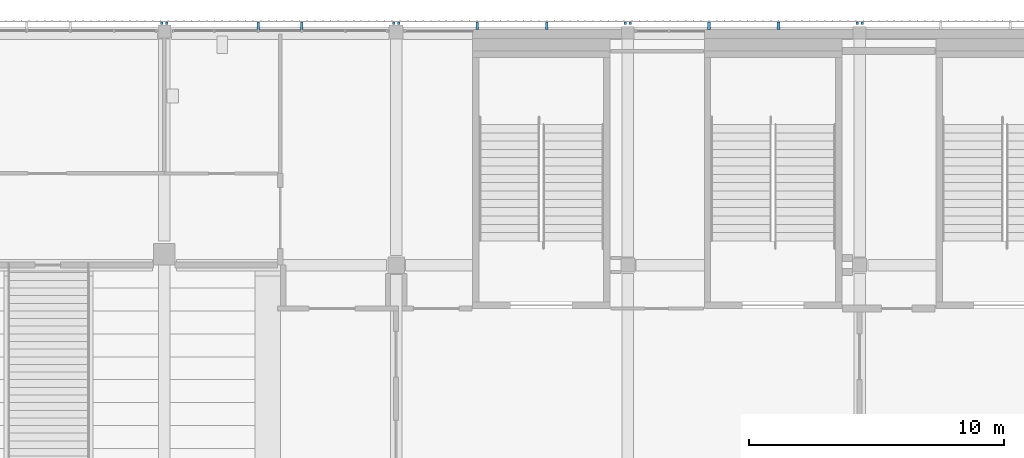
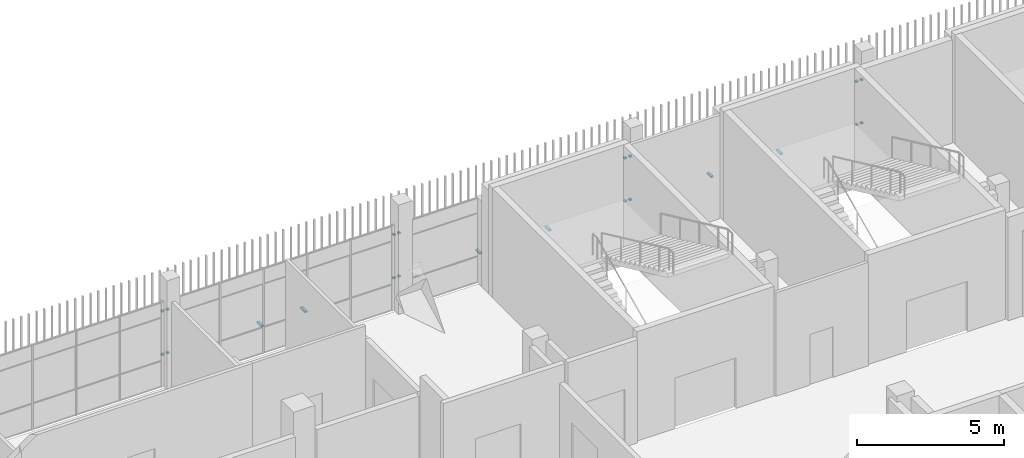
# One storey, part 108 of 139: 22 discrete accessories.
"""IFC4 building model written with IfcOpenShell, lengths in metres."""

from ifc_helpers import new_model, si_unit, direction, frame, origin, origin_2d, place, context, subcontext, project, spatial, rectangle, extrude, material, type_object, element, save


model = new_model("IFC4")

# Units and contexts
model_context = context("Model", 3, precision=1e-05, world=origin(), true_north=direction((0.0, 1.0)))
body_context = subcontext(model_context, "Body", "Model", "MODEL_VIEW")
ifc_project = project(units=[si_unit("LENGTHUNIT", "METRE"), si_unit("AREAUNIT", "SQUARE_METRE"), si_unit("VOLUMEUNIT", "CUBIC_METRE"), si_unit("PLANEANGLEUNIT", "RADIAN"), si_unit("MASSUNIT", "GRAM", prefix="KILO")], contexts=[model_context])

# Site, building, storey
site_placement = place(None, origin())
site = spatial("IfcSite", under=ifc_project, at=site_placement, CompositionType="ELEMENT")
building_placement = place(site_placement, origin())
building = spatial("IfcBuilding", under=site, at=building_placement, Name="Shirokan Park Arena", CompositionType="ELEMENT")
storey_placement = place(building_placement, frame((0.0, 0.0, 15.469970703125)))
storey = spatial("IfcBuildingStorey", under=building, at=storey_placement, Name="L03", CompositionType="ELEMENT", Elevation=15.469970703125)

# Discrete accessories
ifc_material = material(Name="Steel S355", Category="steel")
discrete_accessory_type = type_object("IfcDiscreteAccessoryType", Name="Veil bracket 100x60", PredefinedType="BRACKET", material=ifc_material)
for number, where, z_axis, x_axis, name in (
    (1, (127.5, 109.597412109375, 1.070068359375), (0.0, 0.0, 1.0), (-1.0, 0.0, 0.0), "Veil bracket north bay 2 L03 2"),
    (2, (127.5, 109.597412109375, 2.8701171875), (0.0, 0.0, 1.0), (-1.0, 0.0, 0.0), "Veil bracket north bay 2 L03 4"),
    (3, (127.300048828125, 109.597412109375, 1.070068359375), (0.0, 0.0, 1.0), (-1.0, 0.0, 0.0), "Veil bracket north bay 3 L03 1"),
    (4, (118.39990234375, 109.597412109375, 1.070068359375), (0.0, 0.0, 1.0), (-1.0, 0.0, 0.0), "Veil bracket north bay 3 L03 2"),
    (5, (127.300048828125, 109.597412109375, 2.8701171875), (0.0, 0.0, 1.0), (-1.0, 0.0, 0.0), "Veil bracket north bay 3 L03 3"),
    (6, (118.39990234375, 109.597412109375, 2.8701171875), (0.0, 0.0, 1.0), (-1.0, 0.0, 0.0), "Veil bracket north bay 3 L03 4"),
):
    element("IfcDiscreteAccessory", number, at=place(storey_placement, frame(where, z_axis=z_axis, x_axis=x_axis)), inside=storey, type_object=discrete_accessory_type, Name=name, PredefinedType="BRACKET", context=body_context, shape_type="SweptSolid", body=[
        extrude(rectangle(XDim=0.10009765625, YDim=0.094970703125, at=origin_2d()), origin(), (0.0, 0.0, 1.0), 0.06005859375),
    ])
for number, where, z_axis, x_axis, name in (
    (7, (124.215087890625, 109.49755859375, 1.070068359375), (0.0, 0.0, 1.0), (-1.0, 0.0, 0.0), "Veil bracket north bay 3 L03 wall 1"),
    (8, (121.485107421875, 109.49755859375, 1.070068359375), (0.0, 0.0, 1.0), (-1.0, 0.0, 0.0), "Veil bracket north bay 3 L03 wall 2"),
):
    element("IfcDiscreteAccessory", number, at=place(storey_placement, frame(where, z_axis=z_axis, x_axis=x_axis)), inside=storey, type_object=discrete_accessory_type, Name=name, PredefinedType="BRACKET", context=body_context, shape_type="SweptSolid", body=[
        extrude(rectangle(XDim=0.10009765625, YDim=0.294921875, at=origin_2d()), origin(), (0.0, 0.0, 1.0), 0.06005859375),
    ])
for number, where, z_axis, x_axis, name in (
    (9, (118.199951171875, 109.597412109375, 1.070068359375), (0.0, 0.0, 1.0), (-1.0, 0.0, 0.0), "Veil bracket north bay 4 L03 1"),
    (10, (109.300048828125, 109.597412109375, 1.070068359375), (0.0, 0.0, 1.0), (-1.0, 0.0, 0.0), "Veil bracket north bay 4 L03 2"),
    (11, (118.199951171875, 109.597412109375, 2.8701171875), (0.0, 0.0, 1.0), (-1.0, 0.0, 0.0), "Veil bracket north bay 4 L03 3"),
    (12, (109.300048828125, 109.597412109375, 2.8701171875), (0.0, 0.0, 1.0), (-1.0, 0.0, 0.0), "Veil bracket north bay 4 L03 4"),
):
    element("IfcDiscreteAccessory", number, at=place(storey_placement, frame(where, z_axis=z_axis, x_axis=x_axis)), inside=storey, type_object=discrete_accessory_type, Name=name, PredefinedType="BRACKET", context=body_context, shape_type="SweptSolid", body=[
        extrude(rectangle(XDim=0.10009765625, YDim=0.094970703125, at=origin_2d()), origin(), (0.0, 0.0, 1.0), 0.06005859375),
    ])
for number, where, z_axis, x_axis, name in (
    (13, (115.114990234375, 109.49755859375, 1.070068359375), (0.0, 0.0, 1.0), (-1.0, 0.0, 0.0), "Veil bracket north bay 4 L03 wall 1"),
    (14, (112.385009765625, 109.49755859375, 1.070068359375), (0.0, 0.0, 1.0), (-1.0, 0.0, 0.0), "Veil bracket north bay 4 L03 wall 2"),
):
    element("IfcDiscreteAccessory", number, at=place(storey_placement, frame(where, z_axis=z_axis, x_axis=x_axis)), inside=storey, type_object=discrete_accessory_type, Name=name, PredefinedType="BRACKET", context=body_context, shape_type="SweptSolid", body=[
        extrude(rectangle(XDim=0.10009765625, YDim=0.294921875, at=origin_2d()), origin(), (0.0, 0.0, 1.0), 0.06005859375),
    ])
for number, where, z_axis, x_axis, name in (
    (15, (109.10009765625, 109.597412109375, 1.070068359375), (0.0, 0.0, 1.0), (-1.0, 0.0, 0.0), "Veil bracket north bay 5 L03 1"),
    (16, (100.199951171875, 109.597412109375, 1.070068359375), (0.0, 0.0, 1.0), (-1.0, 0.0, 0.0), "Veil bracket north bay 5 L03 2"),
    (17, (109.10009765625, 109.597412109375, 2.8701171875), (0.0, 0.0, 1.0), (-1.0, 0.0, 0.0), "Veil bracket north bay 5 L03 3"),
    (18, (100.199951171875, 109.597412109375, 2.8701171875), (0.0, 0.0, 1.0), (-1.0, 0.0, 0.0), "Veil bracket north bay 5 L03 4"),
):
    element("IfcDiscreteAccessory", number, at=place(storey_placement, frame(where, z_axis=z_axis, x_axis=x_axis)), inside=storey, type_object=discrete_accessory_type, Name=name, PredefinedType="BRACKET", context=body_context, shape_type="SweptSolid", body=[
        extrude(rectangle(XDim=0.10009765625, YDim=0.094970703125, at=origin_2d()), origin(), (0.0, 0.0, 1.0), 0.06005859375),
    ])
for number, where, z_axis, x_axis, name in (
    (19, (105.4951171875, 109.485107421875, 1.070068359375), (0.0, 0.0, 1.0), (-1.0, 0.0, 0.0), "Veil bracket north bay 5 L03 wall 1"),
    (20, (103.780029296875, 109.485107421875, 1.070068359375), (0.0, 0.0, 1.0), (-1.0, 0.0, 0.0), "Veil bracket north bay 5 L03 wall 2"),
):
    element("IfcDiscreteAccessory", number, at=place(storey_placement, frame(where, z_axis=z_axis, x_axis=x_axis)), inside=storey, type_object=discrete_accessory_type, Name=name, PredefinedType="BRACKET", context=body_context, shape_type="SweptSolid", body=[
        extrude(rectangle(XDim=0.10009765625, YDim=0.320068359375, at=origin_2d()), origin(), (0.0, 0.0, 1.0), 0.06005859375),
    ])
for number, where, z_axis, x_axis, name in (
    (21, (100.0, 109.597412109375, 1.070068359375), (0.0, 0.0, 1.0), (-1.0, 0.0, 0.0), "Veil bracket north bay 6 L03 1"),
    (22, (100.0, 109.597412109375, 2.8701171875), (0.0, 0.0, 1.0), (-1.0, 0.0, 0.0), "Veil bracket north bay 6 L03 3"),
):
    element("IfcDiscreteAccessory", number, at=place(storey_placement, frame(where, z_axis=z_axis, x_axis=x_axis)), inside=storey, type_object=discrete_accessory_type, Name=name, PredefinedType="BRACKET", context=body_context, shape_type="SweptSolid", body=[
        extrude(rectangle(XDim=0.10009765625, YDim=0.094970703125, at=origin_2d()), origin(), (0.0, 0.0, 1.0), 0.06005859375),
    ])

save(model, "model.ifc")
